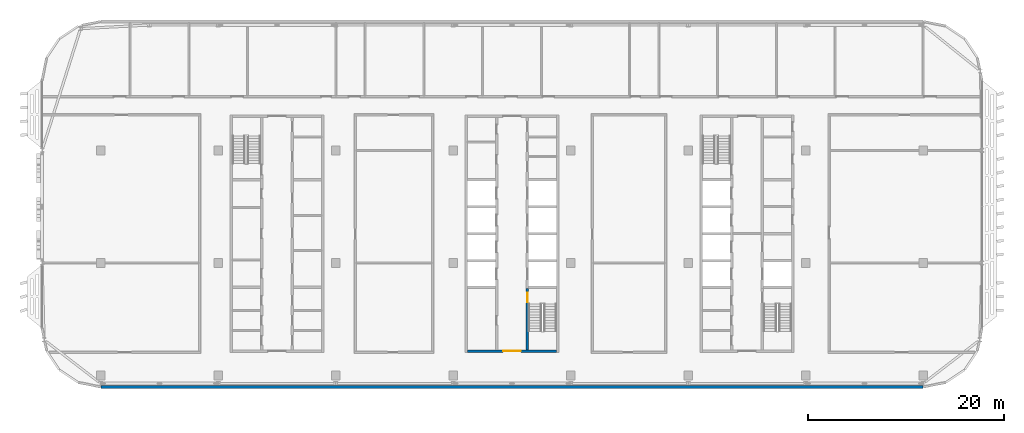
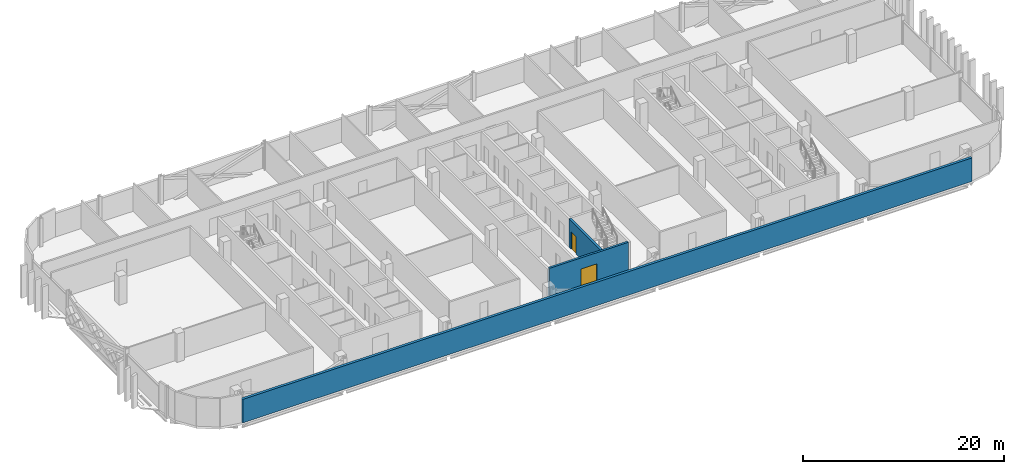
# One storey, part 11 of 25: 3 walls, 2 doors, 2 openings.
"""IFC4 building model written with IfcOpenShell, lengths in metres."""

from ifc_helpers import new_model, si_unit, direction, frame, frame_2d, origin, place, context, subcontext, project, spatial, rectangle, extrude, material, layer, layer_set, type_object, element, fill, save


model = new_model("IFC4")

# Units and contexts
model_context = context("Model", 3, precision=1e-05, world=origin(), true_north=direction((0.0, 1.0)))
body_context = subcontext(model_context, "Body", "Model", "MODEL_VIEW")
ifc_project = project(units=[si_unit("LENGTHUNIT", "METRE"), si_unit("AREAUNIT", "SQUARE_METRE"), si_unit("VOLUMEUNIT", "CUBIC_METRE"), si_unit("PLANEANGLEUNIT", "RADIAN"), si_unit("MASSUNIT", "GRAM", prefix="KILO")], contexts=[model_context])

# Site, building, storey
site_placement = place(None, origin())
site = spatial("IfcSite", under=ifc_project, at=site_placement, CompositionType="ELEMENT")
building_placement = place(site_placement, origin())
building = spatial("IfcBuilding", under=site, at=building_placement, Name="Mahtab Terrace Research Tower", CompositionType="ELEMENT")
storey_placement = place(building_placement, frame((0.0, 0.0, 278.5)))
storey = spatial("IfcBuildingStorey", under=building, at=storey_placement, Name="L68", CompositionType="ELEMENT", Elevation=278.5)

# Wall, opening, door
ifc_material_1 = material(Name="Concrete C70/85", Category="concrete")
ifc_layer_1 = layer(ifc_material_1, 0.25)
ifc_layer_set_1 = layer_set([ifc_layer_1], Name="Core wall 250")
wall_type_1 = type_object("IfcWallType", Name="Core wall 250", PredefinedType="SOLIDWALL", material=ifc_layer_set_1)
wall_1_placement = place(storey_placement, frame((4.550048828125, -9.0, 0.0), z_axis=(0.0, 0.0, 1.0), x_axis=(-1.0, 0.0, 0.0)))
wall_1 = element("IfcWall", 1, at=wall_1_placement, inside=storey, type_object=wall_type_1, Name="Core wall B endS", PredefinedType="SOLIDWALL", context=body_context, shape_type="SweptSolid", body=[
    extrude(rectangle(XDim=9.10009765625, YDim=0.25, at=frame_2d((4.550048828125, 0.0))), origin(), (0.0, 0.0, 1.0), 3.4599609375),
])
opening_1_placement = place(wall_1_placement, frame((3.64990234375, 0.0, 0.0)))
opening_1 = element("IfcOpeningElement", 2, at=opening_1_placement, cuts=wall_1, Name="Opening B-S1", PredefinedType="OPENING", context=body_context, shape_type="SweptSolid", body=[
    extrude(rectangle(XDim=1.800048828125, YDim=2.10009765625, at=frame_2d((0.89990234375, 1.050048828125))), frame((0.0, 0.135009765625, 0.0), z_axis=(0.0, -1.0, 0.0), x_axis=(1.0, 0.0, 0.0)), (0.0, 0.0, 1.0), 0.27001953125),
])
ifc_material_2 = material(Name="Steel fire door", Category="steel")
door_type_1 = type_object("IfcDoorType", Name="Lobby double door 1800x2100 1 HR", OperationType="DOUBLE_DOOR_SINGLE_SWING", PredefinedType="DOOR", material=ifc_material_2)
door_1_placement = place(opening_1_placement, origin())
door_1 = element("IfcDoor", 3, at=door_1_placement, inside=storey, type_object=door_type_1, Name="Core entrance door B S", OperationType="DOUBLE_DOOR_SINGLE_SWING", OverallHeight=2.10009765625, OverallWidth=1.800048828125, PredefinedType="DOOR", context=body_context, shape_type="SweptSolid", body=[
    extrude(rectangle(XDim=1.800048828125, YDim=2.10009765625, at=frame_2d((0.89990234375, 1.050048828125))), frame((0.0, 0.02490234375, 0.0), z_axis=(0.0, -1.0, 0.0), x_axis=(1.0, 0.0, 0.0)), (0.0, 0.0, 1.0), 0.050048828125),
])
fill(opening_1, door_1)

wall_2_placement = place(storey_placement, frame((1.574951171875, -8.875, 0.0), z_axis=(0.0, 0.0, 1.0), x_axis=(0.0, 1.0, 0.0)))
wall_2 = element("IfcWall", 4, at=wall_2_placement, inside=storey, type_object=wall_type_1, Name="Core wall B innerES", PredefinedType="SOLIDWALL", context=body_context, shape_type="SweptSolid", body=[
    extrude(rectangle(XDim=6.25, YDim=0.25, at=frame_2d((3.125, 0.0))), origin(), (0.0, 0.0, 1.0), 3.4599609375),
])
opening_2_placement = place(wall_2_placement, frame((4.85009765625, 0.0, 0.0)))
opening_2 = element("IfcOpeningElement", 5, at=opening_2_placement, cuts=wall_2, Name="Opening B-ST2", PredefinedType="OPENING", context=body_context, shape_type="SweptSolid", body=[
    extrude(rectangle(XDim=1.0, YDim=2.10009765625, at=frame_2d((0.5, 1.050048828125))), frame((0.0, 0.135009765625, 0.0), z_axis=(0.0, -1.0, 0.0), x_axis=(1.0, 0.0, 0.0)), (0.0, 0.0, 1.0), 0.27001953125),
])
door_type_2 = type_object("IfcDoorType", Name="Stair door 1000x2100 1.5 HR", OperationType="NOTDEFINED", PredefinedType="DOOR", material=ifc_material_2)
door_2_placement = place(opening_2_placement, origin())
door_2 = element("IfcDoor", 6, at=door_2_placement, inside=storey, type_object=door_type_2, Name="Stair door ST2 L68", OperationType="SINGLE_SWING_LEFT", OverallHeight=2.10009765625, OverallWidth=1.0, PredefinedType="DOOR", context=body_context, shape_type="SweptSolid", body=[
    extrude(rectangle(XDim=1.0, YDim=2.10009765625, at=frame_2d((0.5, 1.050048828125))), frame((0.0, 0.02490234375, 0.0), z_axis=(0.0, -1.0, 0.0), x_axis=(1.0, 0.0, 0.0)), (0.0, 0.0, 1.0), 0.050048828125),
])
fill(opening_2, door_2)

# Wall
ifc_material_3 = material(Name="Black aluminium cladding panel", Category="aluminium")
ifc_layer_2 = layer(ifc_material_3, 0.300048828125)
ifc_layer_set_2 = layer_set([ifc_layer_2], Name="Opaque facade wall 300")
wall_type_2 = type_object("IfcWallType", Name="Opaque facade wall 300", PredefinedType="NOTDEFINED", material=ifc_layer_set_2)
wall_3_placement = place(storey_placement, frame((-42.0, -12.66796875, 0.0), z_axis=(0.0, 0.0, 1.0), x_axis=(1.0, 0.0, 0.0)))
element("IfcWall", 7, at=wall_3_placement, inside=storey, type_object=wall_type_2, Name="Opaque facade wall L68 S16", PredefinedType="NOTDEFINED", context=body_context, shape_type="SweptSolid", body=[
    extrude(rectangle(XDim=84.0, YDim=0.300048828125, at=frame_2d((42.0, 0.0))), origin(), (0.0, 0.0, 1.0), 2.852783203125),
])

save(model, "model.ifc")
